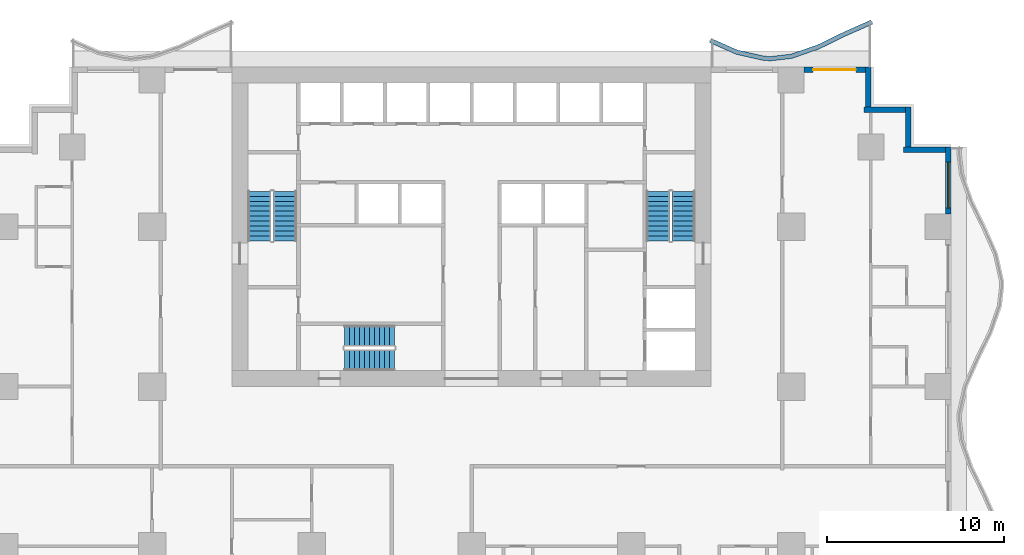
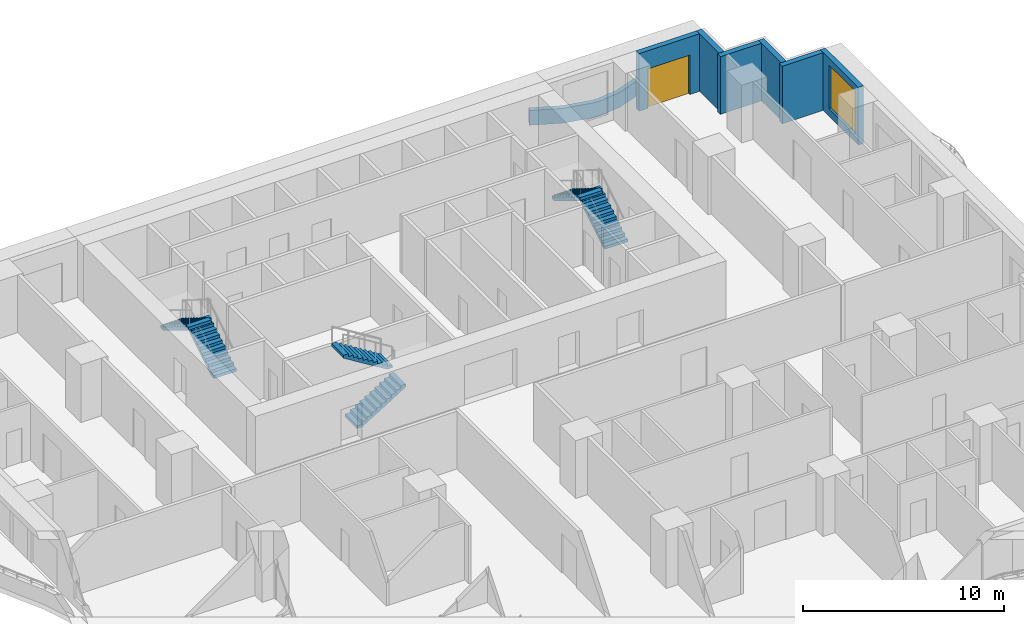
# One storey, part 7 of 14: 7 walls, 6 stair flights, 1 door, 1 window, 2 openings, 3 elements without a shape of their own.
"""IFC4 building model written with IfcOpenShell, lengths in metres."""

from ifc_helpers import new_model, si_unit, direction, frame, frame_2d, origin, place, context, subcontext, project, spatial, polyline, rectangle, outline, extrude, material, layer, layer_set, type_object, element, fill, aggregate, save


model = new_model("IFC4")

# Units and contexts
model_context = context("Model", 3, precision=1e-05, world=origin(), true_north=direction((0.0, 1.0)))
body_context = subcontext(model_context, "Body", "Model", "MODEL_VIEW")
ifc_project = project(units=[si_unit("LENGTHUNIT", "METRE"), si_unit("AREAUNIT", "SQUARE_METRE"), si_unit("VOLUMEUNIT", "CUBIC_METRE"), si_unit("PLANEANGLEUNIT", "RADIAN"), si_unit("MASSUNIT", "GRAM", prefix="KILO")], contexts=[model_context])

# Site, building, storey
site_placement = place(None, origin())
site = spatial("IfcSite", under=ifc_project, at=site_placement, CompositionType="ELEMENT")
building_placement = place(site_placement, origin())
building = spatial("IfcBuilding", under=site, at=building_placement, Name="Orbiselva Terraces", CompositionType="ELEMENT")
storey_placement = place(building_placement, frame((0.0, 0.0, 26.4)))
storey = spatial("IfcBuildingStorey", under=building, at=storey_placement, Name="L06", CompositionType="ELEMENT", Elevation=26.4)

# Wall
ifc_material_1 = material(Name="Concrete C40/50", Category="concrete")
ifc_layer_1 = layer(ifc_material_1, 0.25)
ifc_layer_set_1 = layer_set([ifc_layer_1], Name="Concrete C40/50")
wall_type_1 = type_object("IfcWallType", Name="ENV-PLANTER-250x900", PredefinedType="USERDEFINED", material=ifc_layer_set_1)
wall_1_placement = place(storey_placement, origin())
element("IfcWall", 1, at=wall_1_placement, inside=storey, type_object=wall_type_1, Name="Balcony planter L06 NE", ObjectType="PLANTER", PredefinedType="USERDEFINED", context=body_context, shape_type="SweptSolid", body=[
    extrude(outline(polyline([(22.5, 25.148528), (21.0, 24.487721), (19.5, 23.755211), (18.0, 23.230792), (16.875, 23.1), (16.5, 23.114774), (15.0, 23.451472), (13.5, 24.112279), (13.399212, 23.883496), (14.921492, 23.212874), (16.467435, 22.865863), (16.884572, 22.849429), (18.056371, 22.985662), (19.59644, 23.524089), (21.105286, 24.260919), (22.600788, 24.919745), (22.5, 25.148528)])), origin(), (0.0, 0.0, 1.0), 0.9),
])

# Wall, opening, window
ifc_material_2 = material(Name="Terracotta cladding on masonry backing", Category="masonry")
ifc_layer_2 = layer(ifc_material_2, 0.3)
ifc_layer_set_2 = layer_set([ifc_layer_2], Name="Terracotta cladding on masonry backing")
wall_type_2 = type_object("IfcWallType", Name="ENV-WALL-TERRACOTTA-300", PredefinedType="SOLIDWALL", material=ifc_layer_set_2)
wall_2_placement = place(storey_placement, frame((26.85, 18.0, 0.0), z_axis=(0.0, 0.0, 1.0), x_axis=(0.0, -1.0, 0.0)))
wall_2 = element("IfcWall", 2, at=wall_2_placement, inside=storey, type_object=wall_type_2, Name="Facade wall L06 E", PredefinedType="SOLIDWALL", context=body_context, shape_type="SweptSolid", body=[
    extrude(rectangle(XDim=3.775, YDim=0.3, at=frame_2d((1.8875, 0.0))), origin(), (0.0, 0.0, 1.0), 3.5),
])
opening_1_placement = place(wall_2_placement, frame((0.85, 0.0, 0.45)))
opening_1 = element("IfcOpeningElement", 3, at=opening_1_placement, cuts=wall_2, Name="Opening WN1", PredefinedType="OPENING", context=body_context, shape_type="SweptSolid", body=[
    extrude(rectangle(XDim=2.6, YDim=2.65, at=frame_2d((1.3, 1.325))), frame((0.0, 0.16, 0.0), z_axis=(0.0, -1.0, 0.0), x_axis=(1.0, 0.0, 0.0)), (0.0, 0.0, 1.0), 0.32),
])
ifc_material_3 = material(Name="Clear low-e glazing in aluminium frame", Category="aluminium")
window_type = type_object("IfcWindowType", Name="WINDOW 2600 X 2650 S450", PartitioningType="TRIPLE_PANEL_VERTICAL", PredefinedType="WINDOW", material=ifc_material_3)
window_placement = place(opening_1_placement, origin())
window = element("IfcWindow", 4, at=window_placement, inside=storey, type_object=window_type, Name="Window L06 E", OverallHeight=2.65, OverallWidth=2.6, PartitioningType="SINGLE_PANEL", PredefinedType="WINDOW", context=body_context, shape_type="SweptSolid", body=[
    extrude(rectangle(XDim=2.6, YDim=2.65, at=frame_2d((1.3, 1.325))), frame((0.0, 0.03, 0.0), z_axis=(0.0, -1.0, 0.0), x_axis=(1.0, 0.0, 0.0)), (0.0, 0.0, 1.0), 0.06),
])
fill(opening_1, window)

# Walls
wall_3_placement = place(storey_placement, frame((24.35, 17.85, 0.0), z_axis=(0.0, 0.0, 1.0), x_axis=(1.0, 0.0, 0.0)))
element("IfcWall", 5, at=wall_3_placement, inside=storey, type_object=wall_type_2, Name="Facade wall L06 STEP", PredefinedType="SOLIDWALL", context=body_context, shape_type="SweptSolid", body=[
    extrude(rectangle(XDim=2.35, YDim=0.3, at=frame_2d((1.175, 0.0))), origin(), (0.0, 0.0, 1.0), 3.5),
])
wall_4_placement = place(storey_placement, frame((24.6, 20.25, 0.0), z_axis=(0.0, 0.0, 1.0), x_axis=(0.0, -1.0, 0.0)))
element("IfcWall", 6, at=wall_4_placement, inside=storey, type_object=wall_type_2, Name="Facade wall L06 STEP", PredefinedType="SOLIDWALL", context=body_context, shape_type="SweptSolid", body=[
    extrude(rectangle(XDim=2.25, YDim=0.3, at=frame_2d((1.125, 0.0))), origin(), (0.0, 0.0, 1.0), 3.5),
])
wall_5_placement = place(storey_placement, frame((22.1, 20.1, 0.0), z_axis=(0.0, 0.0, 1.0), x_axis=(1.0, 0.0, 0.0)))
element("IfcWall", 7, at=wall_5_placement, inside=storey, type_object=wall_type_2, Name="Facade wall L06 STEP", PredefinedType="SOLIDWALL", context=body_context, shape_type="SweptSolid", body=[
    extrude(rectangle(XDim=2.35, YDim=0.3, at=frame_2d((1.175, 0.0))), origin(), (0.0, 0.0, 1.0), 3.5),
])
wall_6_placement = place(storey_placement, frame((22.35, 22.5, 0.0), z_axis=(0.0, 0.0, 1.0), x_axis=(0.0, -1.0, 0.0)))
element("IfcWall", 8, at=wall_6_placement, inside=storey, type_object=wall_type_2, Name="Facade wall L06 STEP", PredefinedType="SOLIDWALL", context=body_context, shape_type="SweptSolid", body=[
    extrude(rectangle(XDim=2.25, YDim=0.3, at=frame_2d((1.125, 0.0))), origin(), (0.0, 0.0, 1.0), 3.5),
])

# Wall, opening, door
wall_7_placement = place(storey_placement, frame((18.725, 22.35, 0.0), z_axis=(0.0, 0.0, 1.0), x_axis=(1.0, 0.0, 0.0)))
wall_7 = element("IfcWall", 9, at=wall_7_placement, inside=storey, type_object=wall_type_2, Name="Facade wall L06 NE", PredefinedType="SOLIDWALL", context=body_context, shape_type="SweptSolid", body=[
    extrude(rectangle(XDim=3.475, YDim=0.3, at=frame_2d((1.7375, 0.0))), origin(), (0.0, 0.0, 1.0), 3.5),
])
opening_2_placement = place(wall_7_placement, frame((0.525, 0.0, 0.0)))
opening_2 = element("IfcOpeningElement", 10, at=opening_2_placement, cuts=wall_7, Name="Opening Z1-B-E08", PredefinedType="OPENING", context=body_context, shape_type="SweptSolid", body=[
    extrude(rectangle(XDim=2.4, YDim=2.4, at=frame_2d((1.2, 1.2))), frame((0.0, 0.16, 0.0), z_axis=(0.0, -1.0, 0.0), x_axis=(1.0, 0.0, 0.0)), (0.0, 0.0, 1.0), 0.32),
])
door_type = type_object("IfcDoorType", Name="BALCONY DOOR 2400 X 2400", OperationType="DOUBLE_DOOR_SLIDING", PredefinedType="DOOR", material=ifc_material_3)
door_placement = place(opening_2_placement, origin())
door = element("IfcDoor", 11, at=door_placement, inside=storey, type_object=door_type, Name="Z1-B-E08", OperationType="SINGLE_SWING_LEFT", OverallHeight=2.4, OverallWidth=2.4, PredefinedType="DOOR", context=body_context, shape_type="SweptSolid", body=[
    extrude(rectangle(XDim=2.4, YDim=2.4, at=frame_2d((1.2, 1.2))), frame((0.0, 0.025, 0.0), z_axis=(0.0, -1.0, 0.0), x_axis=(1.0, 0.0, 0.0)), (0.0, 0.0, 1.0), 0.05),
])
fill(opening_2, door)

# Stair, stair flights
stair_type_1 = type_object("IfcStairType", Name="CORE-STAIR-1200", PredefinedType="HALF_TURN_STAIR", material=ifc_material_1)
stair_1_placement = place(storey_placement, origin())
stair_1 = element("IfcStair", 12, at=stair_1_placement, inside=storey, type_object=stair_type_1, Name="L06 Exit Stair S3", PredefinedType="HALF_TURN_STAIR")
stair_flight_type_1 = type_object("IfcStairFlightType", Name="CORE-STAIR-FLIGHT-1200", PredefinedType="STRAIGHT", material=ifc_material_1)
stair_flight_1_placement = place(storey_placement, frame((-7.15, 6.0, 0.0), z_axis=(0.0, 0.0, 1.0), x_axis=(1.0, 0.0, 0.0)))
stair_flight_1 = element("IfcStairFlight", 13, at=stair_flight_1_placement, type_object=stair_flight_type_1, Name="S3 flight 1", NumberOfRisers=11, NumberOfTreads=10, PredefinedType="STRAIGHT", RiserHeight=0.172727273, TreadLength=0.28, context=body_context, shape_type="SweptSolid", body=[
    extrude(outline(polyline([(0.0, 0.0), (0.0, 0.172727), (0.28, 0.172727), (0.28, 0.345455), (0.56, 0.345455), (0.56, 0.518182), (0.84, 0.518182), (0.84, 0.690909), (1.12, 0.690909), (1.12, 0.863636), (1.4, 0.863636), (1.4, 1.036364), (1.68, 1.036364), (1.68, 1.209091), (1.96, 1.209091), (1.96, 1.381818), (2.24, 1.381818), (2.24, 1.554545), (2.52, 1.554545), (2.52, 1.727273), (2.8, 1.727273), (2.8, 1.9), (2.8, 1.551028), (0.285702, 0.0), (0.0, 0.0)])), frame((0.0, 0.6, 0.0), z_axis=(0.0, -1.0, 0.0), x_axis=(1.0, 0.0, 0.0)), (0.0, 0.0, 1.0), 1.2),
])
stair_flight_2_placement = place(storey_placement, frame((-4.35, 7.35, 1.9), z_axis=(0.0, 0.0, 1.0), x_axis=(-1.0, 0.0, 0.0)))
stair_flight_2 = element("IfcStairFlight", 14, at=stair_flight_2_placement, type_object=stair_flight_type_1, Name="S3 flight 2", NumberOfRisers=11, NumberOfTreads=10, PredefinedType="STRAIGHT", RiserHeight=0.172727273, TreadLength=0.28, context=body_context, shape_type="SweptSolid", body=[
    extrude(outline(polyline([(0.0, 0.0), (0.0, 0.172727), (0.28, 0.172727), (0.28, 0.345455), (0.56, 0.345455), (0.56, 0.518182), (0.84, 0.518182), (0.84, 0.690909), (1.12, 0.690909), (1.12, 0.863636), (1.4, 0.863636), (1.4, 1.036364), (1.68, 1.036364), (1.68, 1.209091), (1.96, 1.209091), (1.96, 1.381818), (2.24, 1.381818), (2.24, 1.554545), (2.52, 1.554545), (2.52, 1.727273), (2.8, 1.727273), (2.8, 1.9), (2.8, 1.551028), (0.285702, 0.0), (0.0, 0.0)])), frame((0.0, 0.6, 0.0), z_axis=(0.0, -1.0, 0.0), x_axis=(1.0, 0.0, 0.0)), (0.0, 0.0, 1.0), 1.2),
])
aggregate(stair_1, [stair_flight_1, stair_flight_2])

stair_type_2 = type_object("IfcStairType", Name="CORE-STAIR-1300", PredefinedType="HALF_TURN_STAIR", material=ifc_material_1)
stair_2_placement = place(storey_placement, origin())
stair_2 = element("IfcStair", 15, at=stair_2_placement, inside=storey, type_object=stair_type_2, Name="L06 Exit Stair S1", PredefinedType="HALF_TURN_STAIR")
stair_flight_type_2 = type_object("IfcStairFlightType", Name="CORE-STAIR-FLIGHT-1300", PredefinedType="STRAIGHT", material=ifc_material_1)
stair_flight_3_placement = place(storey_placement, frame((-10.5, 12.7, 0.0), z_axis=(0.0, 0.0, 1.0), x_axis=(0.0, 1.0, 0.0)))
stair_flight_3 = element("IfcStairFlight", 16, at=stair_flight_3_placement, type_object=stair_flight_type_2, Name="S1 flight 1", NumberOfRisers=11, NumberOfTreads=10, PredefinedType="STRAIGHT", RiserHeight=0.172727273, TreadLength=0.28, context=body_context, shape_type="SweptSolid", body=[
    extrude(outline(polyline([(0.0, 0.0), (0.0, 0.172727), (0.28, 0.172727), (0.28, 0.345455), (0.56, 0.345455), (0.56, 0.518182), (0.84, 0.518182), (0.84, 0.690909), (1.12, 0.690909), (1.12, 0.863636), (1.4, 0.863636), (1.4, 1.036364), (1.68, 1.036364), (1.68, 1.209091), (1.96, 1.209091), (1.96, 1.381818), (2.24, 1.381818), (2.24, 1.554545), (2.52, 1.554545), (2.52, 1.727273), (2.8, 1.727273), (2.8, 1.9), (2.8, 1.551028), (0.285702, 0.0), (0.0, 0.0)])), frame((0.0, 0.65, 0.0), z_axis=(0.0, -1.0, 0.0), x_axis=(1.0, 0.0, 0.0)), (0.0, 0.0, 1.0), 1.3),
])
stair_flight_4_placement = place(storey_placement, frame((-11.95, 15.5, 1.9), z_axis=(0.0, 0.0, 1.0), x_axis=(0.0, -1.0, 0.0)))
stair_flight_4 = element("IfcStairFlight", 17, at=stair_flight_4_placement, type_object=stair_flight_type_2, Name="S1 flight 2", NumberOfRisers=11, NumberOfTreads=10, PredefinedType="STRAIGHT", RiserHeight=0.172727273, TreadLength=0.28, context=body_context, shape_type="SweptSolid", body=[
    extrude(outline(polyline([(0.0, 0.0), (0.0, 0.172727), (0.28, 0.172727), (0.28, 0.345455), (0.56, 0.345455), (0.56, 0.518182), (0.84, 0.518182), (0.84, 0.690909), (1.12, 0.690909), (1.12, 0.863636), (1.4, 0.863636), (1.4, 1.036364), (1.68, 1.036364), (1.68, 1.209091), (1.96, 1.209091), (1.96, 1.381818), (2.24, 1.381818), (2.24, 1.554545), (2.52, 1.554545), (2.52, 1.727273), (2.8, 1.727273), (2.8, 1.9), (2.8, 1.551028), (0.285702, 0.0), (0.0, 0.0)])), frame((0.0, 0.65, 0.0), z_axis=(0.0, -1.0, 0.0), x_axis=(1.0, 0.0, 0.0)), (0.0, 0.0, 1.0), 1.3),
])
aggregate(stair_2, [stair_flight_3, stair_flight_4])

stair_3_placement = place(storey_placement, origin())
stair_3 = element("IfcStair", 18, at=stair_3_placement, inside=storey, type_object=stair_type_2, Name="L06 Exit Stair S2", PredefinedType="HALF_TURN_STAIR")
stair_flight_5_placement = place(storey_placement, frame((11.95, 12.7, 0.0), z_axis=(0.0, 0.0, 1.0), x_axis=(0.0, 1.0, 0.0)))
stair_flight_5 = element("IfcStairFlight", 19, at=stair_flight_5_placement, type_object=stair_flight_type_2, Name="S2 flight 1", NumberOfRisers=11, NumberOfTreads=10, PredefinedType="STRAIGHT", RiserHeight=0.172727273, TreadLength=0.28, context=body_context, shape_type="SweptSolid", body=[
    extrude(outline(polyline([(0.0, 0.0), (0.0, 0.172727), (0.28, 0.172727), (0.28, 0.345455), (0.56, 0.345455), (0.56, 0.518182), (0.84, 0.518182), (0.84, 0.690909), (1.12, 0.690909), (1.12, 0.863636), (1.4, 0.863636), (1.4, 1.036364), (1.68, 1.036364), (1.68, 1.209091), (1.96, 1.209091), (1.96, 1.381818), (2.24, 1.381818), (2.24, 1.554545), (2.52, 1.554545), (2.52, 1.727273), (2.8, 1.727273), (2.8, 1.9), (2.8, 1.551028), (0.285702, 0.0), (0.0, 0.0)])), frame((0.0, 0.65, 0.0), z_axis=(0.0, -1.0, 0.0), x_axis=(1.0, 0.0, 0.0)), (0.0, 0.0, 1.0), 1.3),
])
stair_flight_6_placement = place(storey_placement, frame((10.5, 15.5, 1.9), z_axis=(0.0, 0.0, 1.0), x_axis=(0.0, -1.0, 0.0)))
stair_flight_6 = element("IfcStairFlight", 20, at=stair_flight_6_placement, type_object=stair_flight_type_2, Name="S2 flight 2", NumberOfRisers=11, NumberOfTreads=10, PredefinedType="STRAIGHT", RiserHeight=0.172727273, TreadLength=0.28, context=body_context, shape_type="SweptSolid", body=[
    extrude(outline(polyline([(0.0, 0.0), (0.0, 0.172727), (0.28, 0.172727), (0.28, 0.345455), (0.56, 0.345455), (0.56, 0.518182), (0.84, 0.518182), (0.84, 0.690909), (1.12, 0.690909), (1.12, 0.863636), (1.4, 0.863636), (1.4, 1.036364), (1.68, 1.036364), (1.68, 1.209091), (1.96, 1.209091), (1.96, 1.381818), (2.24, 1.381818), (2.24, 1.554545), (2.52, 1.554545), (2.52, 1.727273), (2.8, 1.727273), (2.8, 1.9), (2.8, 1.551028), (0.285702, 0.0), (0.0, 0.0)])), frame((0.0, 0.65, 0.0), z_axis=(0.0, -1.0, 0.0), x_axis=(1.0, 0.0, 0.0)), (0.0, 0.0, 1.0), 1.3),
])
aggregate(stair_3, [stair_flight_5, stair_flight_6])

save(model, "model.ifc")
